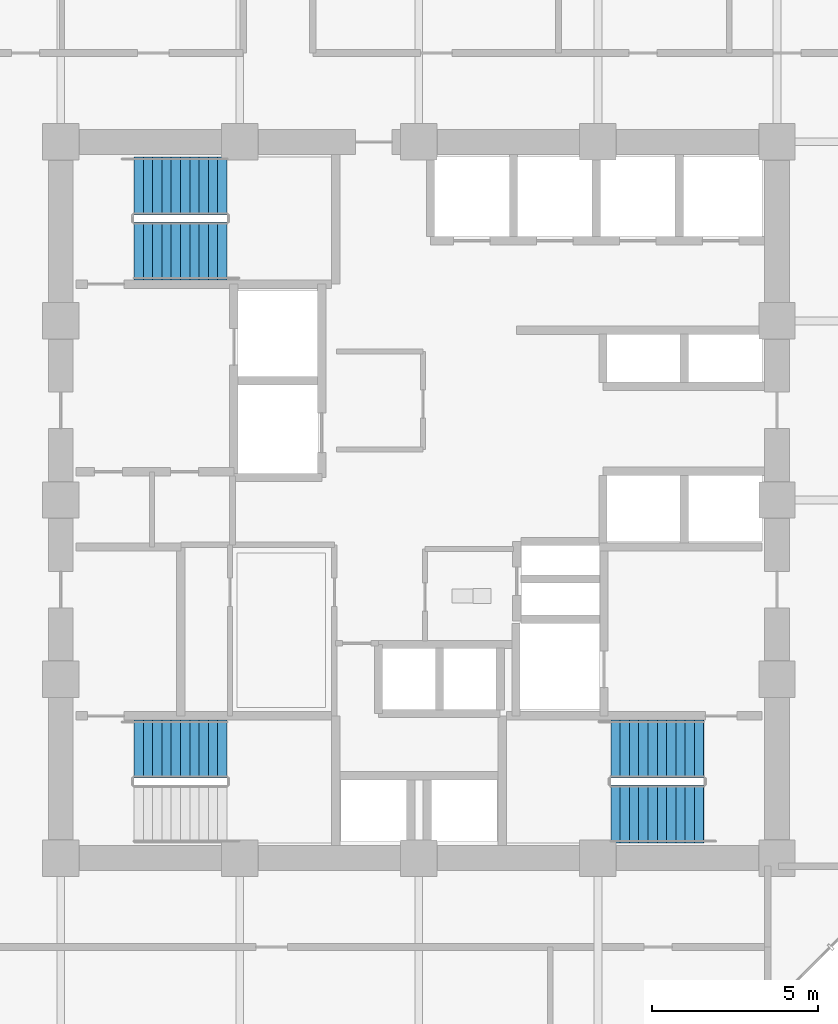
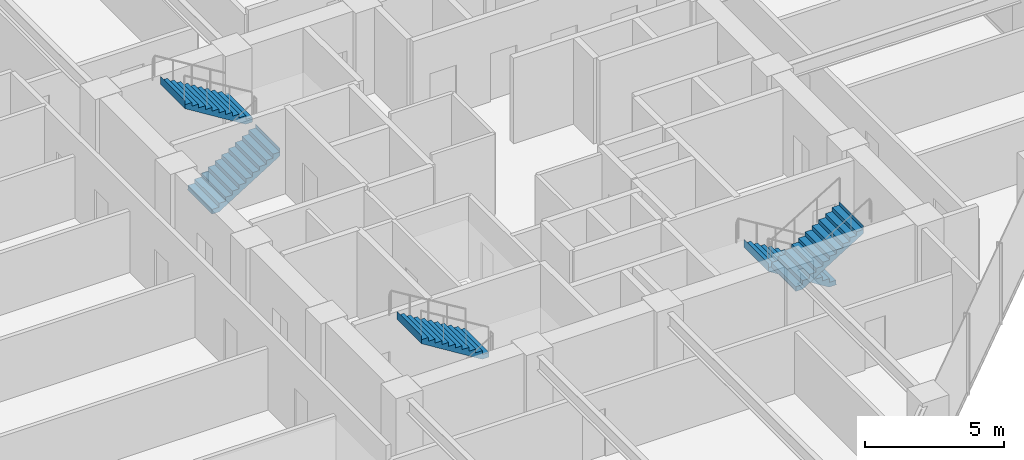
# One storey, part 22 of 25: 5 stair flights, 3 elements without a shape of their own.
"""IFC4 building model written with IfcOpenShell, lengths in metres."""

from ifc_helpers import new_model, si_unit, direction, frame, origin, place, context, subcontext, project, spatial, polyline, outline, extrude, material, type_object, element, aggregate, save


model = new_model("IFC4")

# Units and contexts
model_context = context("Model", 3, precision=1e-05, world=origin(), true_north=direction((0.0, 1.0)))
body_context = subcontext(model_context, "Body", "Model", "MODEL_VIEW")
ifc_project = project(units=[si_unit("LENGTHUNIT", "METRE"), si_unit("AREAUNIT", "SQUARE_METRE"), si_unit("VOLUMEUNIT", "CUBIC_METRE"), si_unit("PLANEANGLEUNIT", "RADIAN"), si_unit("MASSUNIT", "GRAM", prefix="KILO")], contexts=[model_context])

# Site, building, storey
site_placement = place(None, origin())
site = spatial("IfcSite", under=ifc_project, at=site_placement, CompositionType="ELEMENT")
building_placement = place(site_placement, origin())
building = spatial("IfcBuilding", under=site, at=building_placement, Name="Surkhivell Harbour Commons", CompositionType="ELEMENT")
storey_placement = place(building_placement, frame((0.0, 0.0, 109.5)))
storey = spatial("IfcBuildingStorey", under=building, at=storey_placement, Name="L28", CompositionType="ELEMENT", Elevation=109.5)

# Stair, stair flights
ifc_material = material(Name="Precast concrete C45/55", Category="concrete")
stair_type = type_object("IfcStairType", Name="STR-DL-375", PredefinedType="HALF_TURN_STAIR", material=ifc_material)
stair_1_placement = place(storey_placement, origin())
stair_1 = element("IfcStair", 1, at=stair_1_placement, inside=storey, type_object=stair_type, Name="L28 Core Exit Stair ST1", PredefinedType="HALF_TURN_STAIR")
stair_flight_type = type_object("IfcStairFlightType", Name="STF-DL-375", PredefinedType="STRAIGHT", material=ifc_material)
stair_flight_1_placement = place(storey_placement, frame((-8.590087890625, 7.514892578125, 0.0), z_axis=(0.0, 0.0, 1.0), x_axis=(1.0, 0.0, 0.0)))
stair_flight_1 = element("IfcStairFlight", 2, at=stair_flight_1_placement, type_object=stair_flight_type, Name="ST1 flight 1", NumberOfRisers=11, NumberOfTreads=10, PredefinedType="STRAIGHT", RiserHeight=0.170454545, TreadLength=0.28, context=body_context, shape_type="SweptSolid", body=[
    extrude(outline(polyline([(-0.0029296875, -0.034912109375), (-0.0029296875, 0.0), (0.0, 0.0), (0.0, 0.17041015625), (0.280029296875, 0.17041015625), (0.280029296875, 0.3408203125), (0.56005859375, 0.3408203125), (0.56005859375, 0.511474609375), (0.840087890625, 0.511474609375), (0.840087890625, 0.681884765625), (1.1201171875, 0.681884765625), (1.1201171875, 0.852294921875), (1.39990234375, 0.852294921875), (1.39990234375, 1.022705078125), (1.679931640625, 1.022705078125), (1.679931640625, 1.193115234375), (1.9599609375, 1.193115234375), (1.9599609375, 1.363525390625), (2.239990234375, 1.363525390625), (2.239990234375, 1.5341796875), (2.52001953125, 1.5341796875), (2.52001953125, 1.70458984375), (2.800048828125, 1.70458984375), (2.800048828125, 1.875), (2.802978515625, 1.875), (2.802978515625, 1.529052734375), (0.288330078125, -0.034912109375), (-0.0029296875, -0.034912109375)])), frame((0.0, 0.875, 0.0), z_axis=(0.0, -1.0, 0.0), x_axis=(1.0, 0.0, 0.0)), (0.0, 0.0, 1.0), 1.75),
])
stair_flight_2_placement = place(storey_placement, frame((-5.7900390625, 9.465087890625, 1.875), z_axis=(0.0, 0.0, 1.0), x_axis=(-1.0, 0.0, 0.0)))
stair_flight_2 = element("IfcStairFlight", 3, at=stair_flight_2_placement, type_object=stair_flight_type, Name="ST1 flight 2", NumberOfRisers=11, NumberOfTreads=10, PredefinedType="STRAIGHT", RiserHeight=0.170454545, TreadLength=0.28, context=body_context, shape_type="SweptSolid", body=[
    extrude(outline(polyline([(-0.0029296875, -0.034912109375), (-0.0029296875, 0.0), (0.0, 0.0), (0.0, 0.17041015625), (0.280029296875, 0.17041015625), (0.280029296875, 0.3408203125), (0.56005859375, 0.3408203125), (0.56005859375, 0.511474609375), (0.840087890625, 0.511474609375), (0.840087890625, 0.681884765625), (1.1201171875, 0.681884765625), (1.1201171875, 0.852294921875), (1.39990234375, 0.852294921875), (1.39990234375, 1.022705078125), (1.679931640625, 1.022705078125), (1.679931640625, 1.193115234375), (1.9599609375, 1.193115234375), (1.9599609375, 1.363525390625), (2.239990234375, 1.363525390625), (2.239990234375, 1.5341796875), (2.52001953125, 1.5341796875), (2.52001953125, 1.70458984375), (2.800048828125, 1.70458984375), (2.800048828125, 1.875), (2.802978515625, 1.875), (2.802978515625, 1.529052734375), (0.288330078125, -0.034912109375), (-0.0029296875, -0.034912109375)])), frame((0.0, 0.875, 0.0), z_axis=(0.0, -1.0, 0.0), x_axis=(1.0, 0.0, 0.0)), (0.0, 0.0, 1.0), 1.75),
])
aggregate(stair_1, [stair_flight_1, stair_flight_2])

stair_2_placement = place(storey_placement, origin())
stair_2 = element("IfcStair", 4, at=stair_2_placement, inside=storey, type_object=stair_type, Name="L28 Core Exit Stair ST2", PredefinedType="HALF_TURN_STAIR")
stair_flight_3_placement = place(storey_placement, frame((8.590087890625, -7.514892578125, 0.0), z_axis=(0.0, 0.0, 1.0), x_axis=(-1.0, 0.0, 0.0)))
stair_flight_3 = element("IfcStairFlight", 5, at=stair_flight_3_placement, type_object=stair_flight_type, Name="ST2 flight 1", NumberOfRisers=11, NumberOfTreads=10, PredefinedType="STRAIGHT", RiserHeight=0.170454545, TreadLength=0.28, context=body_context, shape_type="SweptSolid", body=[
    extrude(outline(polyline([(-0.0029296875, -0.034912109375), (-0.0029296875, 0.0), (0.0, 0.0), (0.0, 0.17041015625), (0.280029296875, 0.17041015625), (0.280029296875, 0.3408203125), (0.56005859375, 0.3408203125), (0.56005859375, 0.511474609375), (0.840087890625, 0.511474609375), (0.840087890625, 0.681884765625), (1.1201171875, 0.681884765625), (1.1201171875, 0.852294921875), (1.39990234375, 0.852294921875), (1.39990234375, 1.022705078125), (1.679931640625, 1.022705078125), (1.679931640625, 1.193115234375), (1.9599609375, 1.193115234375), (1.9599609375, 1.363525390625), (2.239990234375, 1.363525390625), (2.239990234375, 1.5341796875), (2.52001953125, 1.5341796875), (2.52001953125, 1.70458984375), (2.800048828125, 1.70458984375), (2.800048828125, 1.875), (2.802978515625, 1.875), (2.802978515625, 1.529052734375), (0.288330078125, -0.034912109375), (-0.0029296875, -0.034912109375)])), frame((0.0, 0.875, 0.0), z_axis=(0.0, -1.0, 0.0), x_axis=(1.0, 0.0, 0.0)), (0.0, 0.0, 1.0), 1.75),
])
stair_flight_4_placement = place(storey_placement, frame((5.7900390625, -9.465087890625, 1.875), z_axis=(0.0, 0.0, 1.0), x_axis=(1.0, 0.0, 0.0)))
stair_flight_4 = element("IfcStairFlight", 6, at=stair_flight_4_placement, type_object=stair_flight_type, Name="ST2 flight 2", NumberOfRisers=11, NumberOfTreads=10, PredefinedType="STRAIGHT", RiserHeight=0.170454545, TreadLength=0.28, context=body_context, shape_type="SweptSolid", body=[
    extrude(outline(polyline([(-0.0029296875, -0.034912109375), (-0.0029296875, 0.0), (0.0, 0.0), (0.0, 0.17041015625), (0.280029296875, 0.17041015625), (0.280029296875, 0.3408203125), (0.56005859375, 0.3408203125), (0.56005859375, 0.511474609375), (0.840087890625, 0.511474609375), (0.840087890625, 0.681884765625), (1.1201171875, 0.681884765625), (1.1201171875, 0.852294921875), (1.39990234375, 0.852294921875), (1.39990234375, 1.022705078125), (1.679931640625, 1.022705078125), (1.679931640625, 1.193115234375), (1.9599609375, 1.193115234375), (1.9599609375, 1.363525390625), (2.239990234375, 1.363525390625), (2.239990234375, 1.5341796875), (2.52001953125, 1.5341796875), (2.52001953125, 1.70458984375), (2.800048828125, 1.70458984375), (2.800048828125, 1.875), (2.802978515625, 1.875), (2.802978515625, 1.529052734375), (0.288330078125, -0.034912109375), (-0.0029296875, -0.034912109375)])), frame((0.0, 0.875, 0.0), z_axis=(0.0, -1.0, 0.0), x_axis=(1.0, 0.0, 0.0)), (0.0, 0.0, 1.0), 1.75),
])
aggregate(stair_2, [stair_flight_3, stair_flight_4])

# Stair, stair flight
stair_3_placement = place(storey_placement, origin())
stair_3 = element("IfcStair", 7, at=stair_3_placement, inside=storey, type_object=stair_type, Name="L28 Core Exit Stair ST3", PredefinedType="HALF_TURN_STAIR")
stair_flight_5_placement = place(storey_placement, frame((-5.7900390625, -7.514892578125, 1.875), z_axis=(0.0, 0.0, 1.0), x_axis=(-1.0, 0.0, 0.0)))
stair_flight_5 = element("IfcStairFlight", 8, at=stair_flight_5_placement, type_object=stair_flight_type, Name="ST3 flight 2", NumberOfRisers=11, NumberOfTreads=10, PredefinedType="STRAIGHT", RiserHeight=0.170454545, TreadLength=0.28, context=body_context, shape_type="SweptSolid", body=[
    extrude(outline(polyline([(-0.0029296875, -0.034912109375), (-0.0029296875, 0.0), (0.0, 0.0), (0.0, 0.17041015625), (0.280029296875, 0.17041015625), (0.280029296875, 0.3408203125), (0.56005859375, 0.3408203125), (0.56005859375, 0.511474609375), (0.840087890625, 0.511474609375), (0.840087890625, 0.681884765625), (1.1201171875, 0.681884765625), (1.1201171875, 0.852294921875), (1.39990234375, 0.852294921875), (1.39990234375, 1.022705078125), (1.679931640625, 1.022705078125), (1.679931640625, 1.193115234375), (1.9599609375, 1.193115234375), (1.9599609375, 1.363525390625), (2.239990234375, 1.363525390625), (2.239990234375, 1.5341796875), (2.52001953125, 1.5341796875), (2.52001953125, 1.70458984375), (2.800048828125, 1.70458984375), (2.800048828125, 1.875), (2.802978515625, 1.875), (2.802978515625, 1.529052734375), (0.288330078125, -0.034912109375), (-0.0029296875, -0.034912109375)])), frame((0.0, 0.875, 0.0), z_axis=(0.0, -1.0, 0.0), x_axis=(1.0, 0.0, 0.0)), (0.0, 0.0, 1.0), 1.75),
])
aggregate(stair_3, [stair_flight_5])

save(model, "model.ifc")
